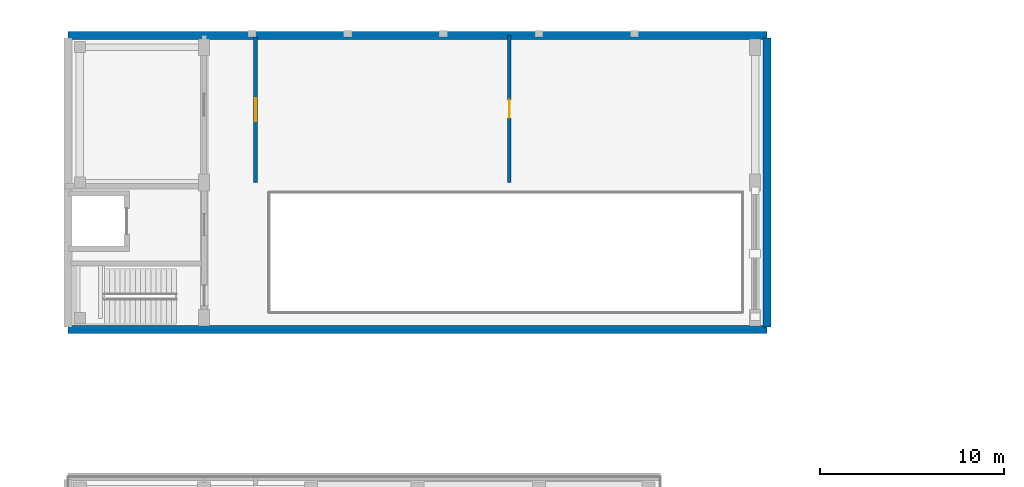
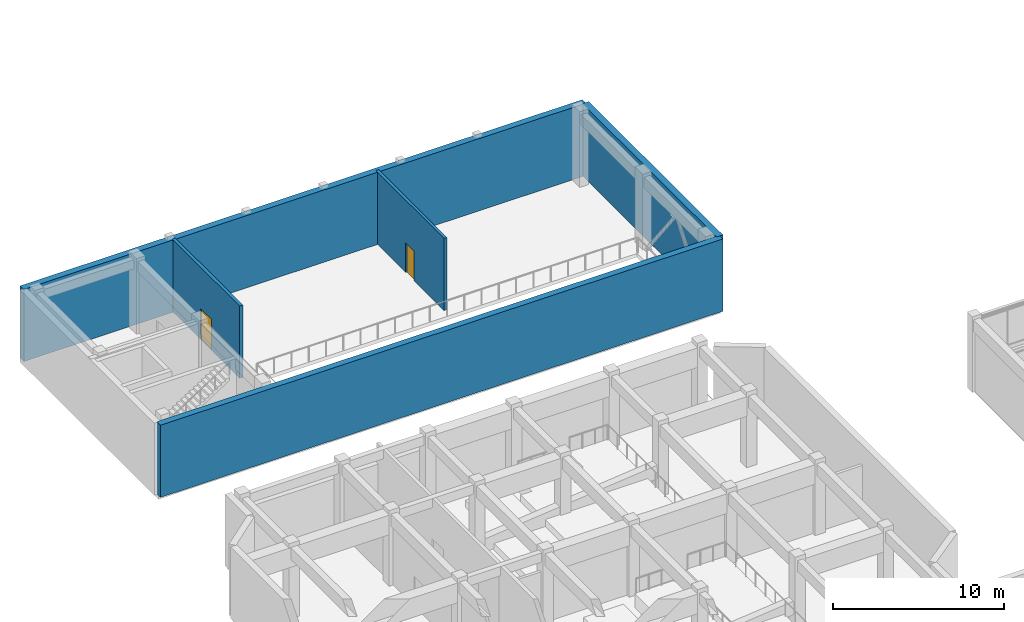
# One storey, part 40 of 64: 5 walls, 2 doors, 2 openings.
"""IFC4 building model written with IfcOpenShell, lengths in metres."""

from ifc_helpers import new_model, si_unit, direction, frame, frame_2d, origin, place, context, subcontext, project, spatial, rectangle, extrude, material, layer, layer_set, type_object, element, fill, save


model = new_model("IFC4")

# Units and contexts
model_context = context("Model", 3, precision=1e-05, world=origin(), true_north=direction((0.0, 1.0)))
body_context = subcontext(model_context, "Body", "Model", "MODEL_VIEW")
ifc_project = project(units=[si_unit("LENGTHUNIT", "METRE"), si_unit("AREAUNIT", "SQUARE_METRE"), si_unit("VOLUMEUNIT", "CUBIC_METRE"), si_unit("PLANEANGLEUNIT", "RADIAN"), si_unit("MASSUNIT", "GRAM", prefix="KILO")], contexts=[model_context])

# Site, building, storey
site_placement = place(None, origin())
site = spatial("IfcSite", under=ifc_project, at=site_placement, CompositionType="ELEMENT")
building_placement = place(site_placement, origin())
building = spatial("IfcBuilding", under=site, at=building_placement, Name="Cinchona Park Media Centre", CompositionType="ELEMENT")
storey_placement = place(building_placement, frame((0.0, 0.0, 10.199951171875)))
storey = spatial("IfcBuildingStorey", under=building, at=storey_placement, Name="L02", CompositionType="ELEMENT", Elevation=10.199951171875)

# Walls
ifc_material_1 = material(Name="Precast concrete C40/50", Category="concrete")
ifc_layer_1 = layer(ifc_material_1, 0.425048828125)
ifc_layer_set_1 = layer_set([ifc_layer_1], Name="Precast concrete C40/50")
wall_type_1 = type_object("IfcWallType", Name="WALL-W-AC01", PredefinedType="SOLIDWALL", material=ifc_layer_set_1)
wall_1_placement = place(storey_placement, frame((8.0, 118.0, 0.0), z_axis=(0.0, 0.0, 1.0), x_axis=(1.0, 0.0, 0.0)))
element("IfcWall", 1, at=wall_1_placement, inside=storey, type_object=wall_type_1, Name="Exterior Wall W-AC01 V2 L02", PredefinedType="SOLIDWALL", context=body_context, shape_type="SweptSolid", body=[
    extrude(rectangle(XDim=38.0, YDim=0.425048828125, at=frame_2d((19.0, 0.0))), origin(), (0.0, 0.0, 1.0), 5.16015625),
])
wall_2_placement = place(storey_placement, frame((46.0, 117.860107421875, 0.0), z_axis=(0.0, 0.0, 1.0), x_axis=(0.0, -1.0, 0.0)))
element("IfcWall", 2, at=wall_2_placement, inside=storey, type_object=wall_type_1, Name="Exterior Wall W-AC01 V2 L02", PredefinedType="SOLIDWALL", context=body_context, shape_type="SweptSolid", body=[
    extrude(rectangle(XDim=15.72021484375, YDim=0.425048828125, at=frame_2d((7.860107421875, 0.0))), origin(), (0.0, 0.0, 1.0), 5.16015625),
])
wall_3_placement = place(storey_placement, frame((46.0, 102.0, 0.0), z_axis=(0.0, 0.0, 1.0), x_axis=(-1.0, 0.0, 0.0)))
element("IfcWall", 3, at=wall_3_placement, inside=storey, type_object=wall_type_1, Name="Exterior Wall W-AC01 V2 L02", PredefinedType="SOLIDWALL", context=body_context, shape_type="SweptSolid", body=[
    extrude(rectangle(XDim=38.0, YDim=0.425048828125, at=frame_2d((19.0, 0.0))), origin(), (0.0, 0.0, 1.0), 5.16015625),
])

# Wall, opening, door
ifc_material_2 = material(Name="Acoustic Double-Stud Gypsum Partition", Category="gypsum")
ifc_layer_2 = layer(ifc_material_2, 0.2099609375)
ifc_layer_set_2 = layer_set([ifc_layer_2], Name="Acoustic Double-Stud Gypsum Partition")
wall_type_2 = type_object("IfcWallType", Name="WALL-W-AC210", PredefinedType="PARTITIONING", material=ifc_layer_set_2)
wall_4_placement = place(storey_placement, frame((18.199951171875, 117.903076171875, 0.0), z_axis=(0.0, 0.0, 1.0), x_axis=(0.0, -1.0, 0.0)))
wall_4 = element("IfcWall", 4, at=wall_4_placement, inside=storey, type_object=wall_type_2, Name="Interior Wall W-AC210 L02", PredefinedType="PARTITIONING", context=body_context, shape_type="SweptSolid", body=[
    extrude(rectangle(XDim=7.903076171875, YDim=0.2099609375, at=frame_2d((3.95166015625, 0.0))), origin(), (0.0, 0.0, 1.0), 5.16015625),
])
opening_1_placement = place(wall_4_placement, frame((3.322021484375, 0.0, 0.0)))
opening_1 = element("IfcOpeningElement", 5, at=opening_1_placement, cuts=wall_4, Name="Opening D273", PredefinedType="OPENING", context=body_context, shape_type="SweptSolid", body=[
    extrude(rectangle(XDim=1.260009765625, YDim=2.199951171875, at=frame_2d((0.6298828125, 1.10009765625))), frame((0.0, 0.114990234375, 0.0), z_axis=(0.0, -1.0, 0.0), x_axis=(1.0, 0.0, 0.0)), (0.0, 0.0, 1.0), 0.22998046875),
])
ifc_material_3 = material(Name="Fire-Rated Acoustic Timber-Steel Door", Category="steel")
door_type_1 = type_object("IfcDoorType", Name="DOOR-DT11", OperationType="NOTDEFINED", PredefinedType="DOOR", material=ifc_material_3)
door_1_placement = place(opening_1_placement, origin())
door_1 = element("IfcDoor", 6, at=door_1_placement, inside=storey, type_object=door_type_1, Name="Interior Door D273", OperationType="SINGLE_SWING_LEFT", OverallHeight=2.199951171875, OverallWidth=1.260009765625, PredefinedType="DOOR", context=body_context, shape_type="SweptSolid", body=[
    extrude(rectangle(XDim=1.260009765625, YDim=2.199951171875, at=frame_2d((0.6298828125, 1.10009765625))), frame((0.0, 0.02490234375, 0.0), z_axis=(0.0, -1.0, 0.0), x_axis=(1.0, 0.0, 0.0)), (0.0, 0.0, 1.0), 0.050048828125),
])
fill(opening_1, door_1)

ifc_material_4 = material(Name="Fire-Rated Gypsum Stud Partition", Category="gypsum")
ifc_layer_3 = layer(ifc_material_4, 0.18994140625)
ifc_layer_set_3 = layer_set([ifc_layer_3], Name="Fire-Rated Gypsum Stud Partition")
wall_type_3 = type_object("IfcWallType", Name="WALL-W-PT190", PredefinedType="PARTITIONING", material=ifc_layer_set_3)
wall_5_placement = place(storey_placement, frame((32.0, 118.0, 0.0), z_axis=(0.0, 0.0, 1.0), x_axis=(0.0, -1.0, 0.0)))
wall_5 = element("IfcWall", 7, at=wall_5_placement, inside=storey, type_object=wall_type_3, Name="Interior Wall W-PT190 L02", PredefinedType="PARTITIONING", context=body_context, shape_type="SweptSolid", body=[
    extrude(rectangle(XDim=8.0, YDim=0.18994140625, at=frame_2d((4.0, 0.0))), origin(), (0.0, 0.0, 1.0), 5.16015625),
])
opening_2_placement = place(wall_5_placement, frame((3.510009765625, 0.0, 0.0)))
opening_2 = element("IfcOpeningElement", 8, at=opening_2_placement, cuts=wall_5, Name="Opening D300", PredefinedType="OPENING", context=body_context, shape_type="SweptSolid", body=[
    extrude(rectangle(XDim=0.97998046875, YDim=2.10009765625, at=frame_2d((0.489990234375, 1.050048828125))), frame((0.0, 0.10498046875, 0.0), z_axis=(0.0, -1.0, 0.0), x_axis=(1.0, 0.0, 0.0)), (0.0, 0.0, 1.0), 0.2099609375),
])
ifc_material_5 = material(Name="Fire-Rated Acoustic Timber-Steel Door", Category="steel")
door_type_2 = type_object("IfcDoorType", Name="DOOR-DT03", OperationType="NOTDEFINED", PredefinedType="DOOR", material=ifc_material_5)
door_2_placement = place(opening_2_placement, origin())
door_2 = element("IfcDoor", 9, at=door_2_placement, inside=storey, type_object=door_type_2, Name="Interior Door D300", OperationType="SINGLE_SWING_RIGHT", OverallHeight=2.10009765625, OverallWidth=0.97998046875, PredefinedType="DOOR", context=body_context, shape_type="SweptSolid", body=[
    extrude(rectangle(XDim=0.97998046875, YDim=2.10009765625, at=frame_2d((0.489990234375, 1.050048828125))), frame((0.0, 0.02490234375, 0.0), z_axis=(0.0, -1.0, 0.0), x_axis=(1.0, 0.0, 0.0)), (0.0, 0.0, 1.0), 0.050048828125),
])
fill(opening_2, door_2)

save(model, "model.ifc")
